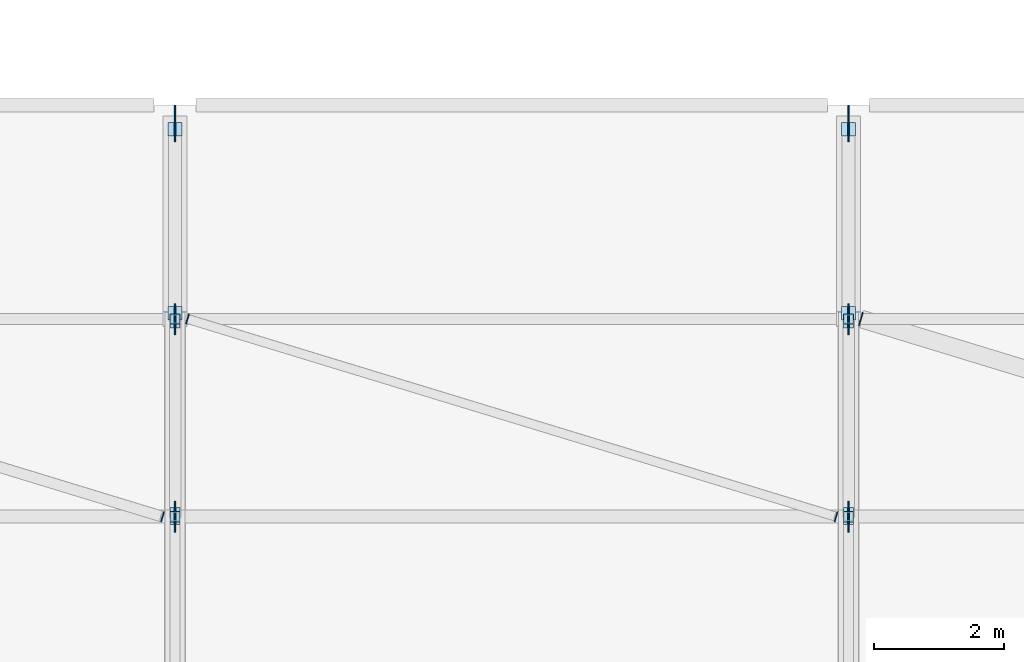
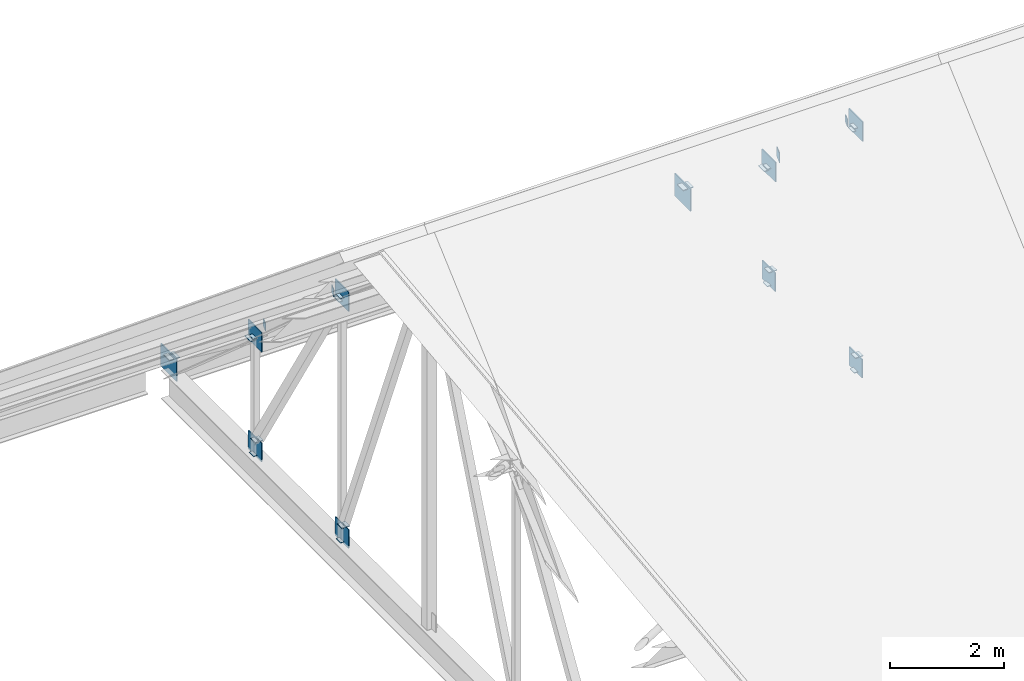
# One storey, part 52 of 86: 32 plates.
"""IFC4 building model written with IfcOpenShell, lengths in metres."""

from ifc_helpers import new_model, si_unit, derived_unit, direction, frame, origin, origin_2d, place, context, subcontext, project, spatial, rectangle, extrude, material, layer, layer_set, type_object, element, save


model = new_model("IFC4")

# Units and contexts
model_context = context("Model", 3, precision=1e-05, world=origin(), true_north=direction((0.0, 1.0)))
body_context = subcontext(model_context, "Body", "Model", "MODEL_VIEW")
ifc_project = project(units=[si_unit("LENGTHUNIT", "METRE"), si_unit("AREAUNIT", "SQUARE_METRE"), si_unit("VOLUMEUNIT", "CUBIC_METRE"), si_unit("PLANEANGLEUNIT", "RADIAN"), si_unit("MASSUNIT", "GRAM", prefix="KILO"), derived_unit("THERMALTRANSMITTANCEUNIT", [(si_unit("POWERUNIT", "WATT"), 1), (si_unit("LENGTHUNIT", "METRE"), -2), (si_unit("THERMODYNAMICTEMPERATUREUNIT", "KELVIN"), -1)])], contexts=[model_context])

# Site, building, storey
site_placement = place(None, origin())
site = spatial("IfcSite", under=ifc_project, at=site_placement, CompositionType="ELEMENT")
building_placement = place(site_placement, origin())
building = spatial("IfcBuilding", under=site, at=building_placement, Name="Braskholm Square Health Centre", CompositionType="ELEMENT")
storey_placement = place(building_placement, frame((0.0, 0.0, 13.5)))
storey = spatial("IfcBuildingStorey", under=building, at=storey_placement, Name="L04", CompositionType="ELEMENT", Elevation=13.5)

# Plates
ifc_material = material(Name="Steel ASTM A572 Grade 50", Category="steel")
ifc_layer_1 = layer(ifc_material, 0.01611328125)
ifc_layer_set_1 = layer_set([ifc_layer_1], Name="Steel ASTM A572 Grade 50")
plate_type_1 = type_object("IfcPlateType", Name="CapPlateHSS152TN8", PredefinedType="USERDEFINED", material=ifc_layer_set_1)
for number, where, z_axis, x_axis, name in (
    (1, (68.39990234375, 100.64990234375, -0.2861328125), (0.0, 0.0, 1.0), (1.0, 0.0, 0.0), "Hollow section end cap plate 0075"),
    (2, (68.39990234375, 100.64990234375, 4.941162109375), (0.0, 0.0, 1.0), (1.0, 0.0, 0.0), "Hollow section end cap plate 0076"),
    (3, (68.39990234375, 103.699951171875, -0.2861328125), (0.0, 0.0, 1.0), (1.0, 0.0, 0.0), "Hollow section end cap plate 0077"),
    (4, (68.39990234375, 103.699951171875, 2.221923828125), (0.0, 0.0, 1.0), (1.0, 0.0, 0.0), "Hollow section end cap plate 0078"),
    (5, (68.39990234375, 100.60791015625, 0.055908203125), (0.0, 0.0, 1.0), (1.0, 0.0, 0.0), "Hollow section end cap plate 0085"),
    (6, (68.39990234375, 103.64111328125, 0.046875), (0.0, 0.0, 1.0), (1.0, 0.0, 0.0), "Hollow section end cap plate 0087"),
    (7, (68.39990234375, 100.708984375, 4.837890625), (0.0, 0.0, 1.0), (1.0, 0.0, 0.0), "Hollow section end cap plate 0088"),
    (8, (78.800048828125, 100.64990234375, -0.2861328125), (0.0, 0.0, 1.0), (1.0, 0.0, 0.0), "Hollow section end cap plate 0109"),
    (9, (78.800048828125, 100.64990234375, 4.941162109375), (0.0, 0.0, 1.0), (1.0, 0.0, 0.0), "Hollow section end cap plate 0110"),
    (10, (78.800048828125, 103.699951171875, -0.2861328125), (0.0, 0.0, 1.0), (1.0, 0.0, 0.0), "Hollow section end cap plate 0111"),
    (11, (78.800048828125, 103.699951171875, 2.221923828125), (0.0, 0.0, 1.0), (1.0, 0.0, 0.0), "Hollow section end cap plate 0112"),
    (12, (78.800048828125, 100.60791015625, 0.055908203125), (0.0, 0.0, 1.0), (1.0, 0.0, 0.0), "Hollow section end cap plate 0119"),
    (13, (78.800048828125, 103.64111328125, 0.046875), (0.0, 0.0, 1.0), (1.0, 0.0, 0.0), "Hollow section end cap plate 0121"),
    (14, (78.800048828125, 100.708984375, 4.837890625), (0.0, 0.0, 1.0), (1.0, 0.0, 0.0), "Hollow section end cap plate 0122"),
):
    element("IfcPlate", number, at=place(storey_placement, frame(where, z_axis=z_axis, x_axis=x_axis)), inside=storey, type_object=plate_type_1, Name=name, ObjectType="CAP_PLATE", PredefinedType="USERDEFINED", context=body_context, shape_type="SweptSolid", body=[
        extrude(rectangle(XDim=0.159912109375, YDim=0.159912109375, at=origin_2d()), origin(), (0.0, 0.0, 1.0), 0.01611328125),
    ])
for number, where, z_axis, x_axis, name in (
    (15, (68.2080078125, 100.64794921875, 5.041015625), (0.0, 0.0, 1.0), (0.956498453883, -0.291737395134, 0.0), "Hollow section end cap plate 0284"),
    (16, (68.592041015625, 103.701904296875, 2.322265625), (0.0, 0.0, 1.0), (0.956498453883, -0.291737395134, 0.0), "Hollow section end cap plate 0291"),
    (17, (78.60791015625, 100.64794921875, 5.041015625), (0.0, 0.0, 1.0), (0.956498453883, -0.291737395134, 0.0), "Hollow section end cap plate 0292"),
):
    element("IfcPlate", number, at=place(storey_placement, frame(where, z_axis=z_axis, x_axis=x_axis)), inside=storey, type_object=plate_type_1, Name=name, ObjectType="CAP_PLATE", PredefinedType="USERDEFINED", context=body_context, shape_type="SweptSolid", body=[
        extrude(rectangle(XDim=0.01611328125, YDim=0.159912109375, at=origin_2d()), origin(), (0.0, 0.0, 1.0), 0.159912109375),
    ])
ifc_layer_2 = layer(ifc_material, 0.01611328125)
ifc_layer_set_2 = layer_set([ifc_layer_2], Name="Steel ASTM A572 Grade 50")
plate_type_2 = type_object("IfcPlateType", Name="CapPlateHSS203TN6", PredefinedType="USERDEFINED", material=ifc_layer_set_2)
for number, where, z_axis, x_axis, name in (
    (18, (68.39990234375, 106.6298828125, 0.01904296875), (0.0, 0.0, 1.0), (1.0, 0.0, 0.0), "Hollow section end cap plate 0089"),
    (19, (68.39990234375, 103.7900390625, 2.14697265625), (0.0, 0.0, 1.0), (1.0, 0.0, 0.0), "Hollow section end cap plate 0090"),
    (20, (78.800048828125, 106.6298828125, 0.01904296875), (0.0, 0.0, 1.0), (1.0, 0.0, 0.0), "Hollow section end cap plate 0123"),
    (21, (78.800048828125, 103.7900390625, 2.14697265625), (0.0, 0.0, 1.0), (1.0, 0.0, 0.0), "Hollow section end cap plate 0124"),
):
    element("IfcPlate", number, at=place(storey_placement, frame(where, z_axis=z_axis, x_axis=x_axis)), inside=storey, type_object=plate_type_2, Name=name, ObjectType="CAP_PLATE", PredefinedType="USERDEFINED", context=body_context, shape_type="SweptSolid", body=[
        extrude(rectangle(XDim=0.2099609375, YDim=0.2099609375, at=origin_2d()), origin(), (0.0, 0.0, 1.0), 0.01611328125),
    ])
plate_placement = place(storey_placement, frame((78.991943359375, 103.701904296875, 2.297119140625), z_axis=(0.0, 0.0, 1.0), x_axis=(0.956498453883, -0.291737395134, 0.0)))
element("IfcPlate", 22, at=plate_placement, inside=storey, type_object=plate_type_2, Name="Hollow section end cap plate 0299", ObjectType="CAP_PLATE", PredefinedType="USERDEFINED", context=body_context, shape_type="SweptSolid", body=[
    extrude(rectangle(XDim=0.01611328125, YDim=0.2099609375, at=origin_2d()), origin(), (0.0, 0.0, 1.0), 0.2099609375),
])
ifc_layer_3 = layer(ifc_material, 0.02001953125)
ifc_layer_set_3 = layer_set([ifc_layer_3], Name="Steel ASTM A572 Grade 50")
plate_type_3 = type_object("IfcPlateType", Name="NodeGussetBottomPanelTN3", PredefinedType="USERDEFINED", material=ifc_layer_set_3)
for number, where, z_axis, x_axis, name in (
    (23, (68.39990234375, 100.64990234375, -0.320068359375), (0.0, 0.0, 1.0), (1.0, 0.0, 0.0), "Truss node gusset plate 0097"),
    (24, (68.39990234375, 103.699951171875, -0.320068359375), (0.0, 0.0, 1.0), (1.0, 0.0, 0.0), "Truss node gusset plate 0098"),
    (25, (78.800048828125, 100.64990234375, -0.320068359375), (0.0, 0.0, 1.0), (1.0, 0.0, 0.0), "Truss node gusset plate 0131"),
    (26, (78.800048828125, 103.699951171875, -0.320068359375), (0.0, 0.0, 1.0), (1.0, 0.0, 0.0), "Truss node gusset plate 0132"),
):
    element("IfcPlate", number, at=place(storey_placement, frame(where, z_axis=z_axis, x_axis=x_axis)), inside=storey, type_object=plate_type_3, Name=name, ObjectType="GUSSET_PLATE", PredefinedType="USERDEFINED", context=body_context, shape_type="SweptSolid", body=[
        extrude(rectangle(XDim=0.02001953125, YDim=0.4599609375, at=origin_2d()), origin(), (0.0, 0.0, 1.0), 0.39990234375),
    ])
ifc_layer_4 = layer(ifc_material, 0.02392578125)
ifc_layer_set_4 = layer_set([ifc_layer_4], Name="Steel ASTM A572 Grade 50")
plate_type_4 = type_object("IfcPlateType", Name="NodeGussetHeelTN1", PredefinedType="USERDEFINED", material=ifc_layer_set_4)
for number, where, z_axis, x_axis, name in (
    (27, (68.39990234375, 106.719970703125, -0.39990234375), (0.0, 0.0, 1.0), (1.0, 0.0, 0.0), "Truss node gusset plate 0092"),
    (28, (78.800048828125, 106.719970703125, -0.39990234375), (0.0, 0.0, 1.0), (1.0, 0.0, 0.0), "Truss node gusset plate 0126"),
):
    element("IfcPlate", number, at=place(storey_placement, frame(where, z_axis=z_axis, x_axis=x_axis)), inside=storey, type_object=plate_type_4, Name=name, ObjectType="GUSSET_PLATE", PredefinedType="USERDEFINED", context=body_context, shape_type="SweptSolid", body=[
        extrude(rectangle(XDim=0.02392578125, YDim=0.56005859375, at=origin_2d()), origin(), (0.0, 0.0, 1.0), 0.47998046875),
    ])
ifc_layer_5 = layer(ifc_material, 0.02197265625)
ifc_layer_set_5 = layer_set([ifc_layer_5], Name="Steel ASTM A572 Grade 50")
plate_type_5 = type_object("IfcPlateType", Name="NodeGussetTopPanelTN4", PredefinedType="USERDEFINED", material=ifc_layer_set_5)
for number, where, z_axis, x_axis, name in (
    (29, (68.39990234375, 100.64990234375, 4.7509765625), (0.0, 0.0, 1.0), (1.0, 0.0, 0.0), "Truss node gusset plate 0101"),
    (30, (68.39990234375, 103.699951171875, 2.031982421875), (0.0, 0.0, 1.0), (1.0, 0.0, 0.0), "Truss node gusset plate 0102"),
    (31, (78.800048828125, 100.64990234375, 4.7509765625), (0.0, 0.0, 1.0), (1.0, 0.0, 0.0), "Truss node gusset plate 0135"),
    (32, (78.800048828125, 103.699951171875, 2.031982421875), (0.0, 0.0, 1.0), (1.0, 0.0, 0.0), "Truss node gusset plate 0136"),
):
    element("IfcPlate", number, at=place(storey_placement, frame(where, z_axis=z_axis, x_axis=x_axis)), inside=storey, type_object=plate_type_5, Name=name, ObjectType="GUSSET_PLATE", PredefinedType="USERDEFINED", context=body_context, shape_type="SweptSolid", body=[
        extrude(rectangle(XDim=0.02197265625, YDim=0.47998046875, at=origin_2d()), origin(), (0.0, 0.0, 1.0), 0.419921875),
    ])

save(model, "model.ifc")
